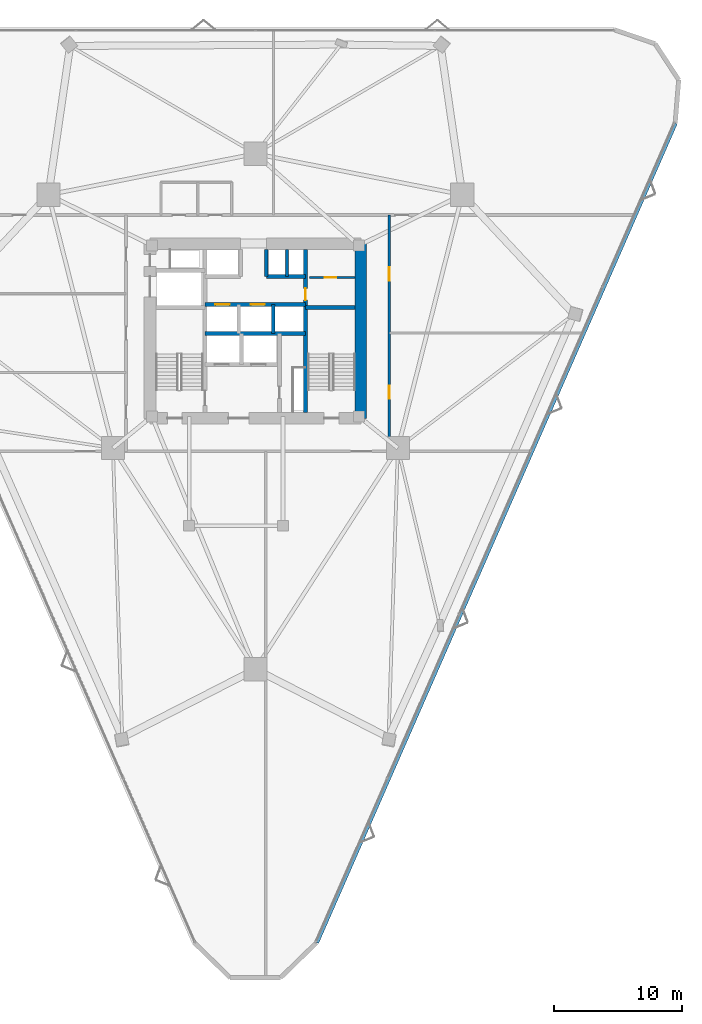
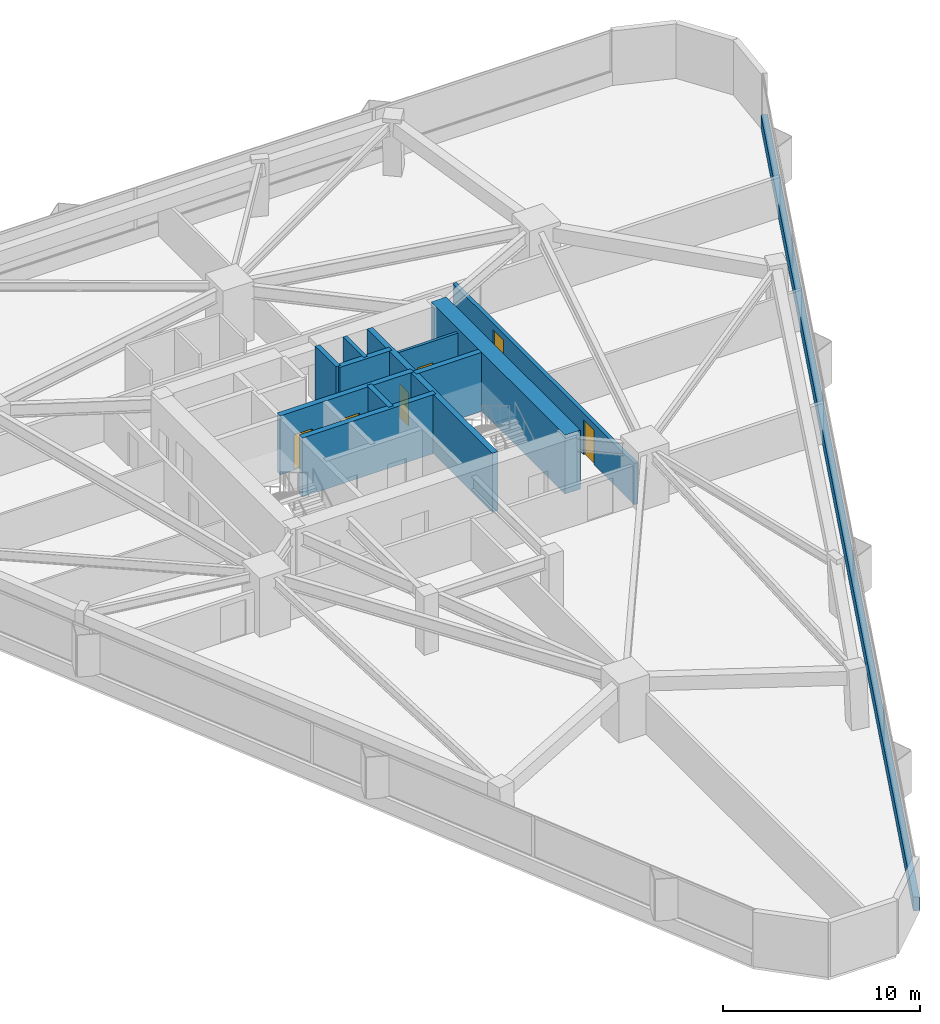
# One storey, part 18 of 20: 12 walls, 6 doors, 6 openings.
"""IFC4 building model written with IfcOpenShell, lengths in metres."""

from ifc_helpers import new_model, si_unit, direction, frame, frame_2d, origin, place, context, subcontext, project, spatial, rectangle, extrude, material, layer, layer_set, type_object, element, fill, save


model = new_model("IFC4")

# Units and contexts
model_context = context("Model", 3, precision=1e-05, world=origin(), true_north=direction((0.0, 1.0)))
body_context = subcontext(model_context, "Body", "Model", "MODEL_VIEW")
ifc_project = project(units=[si_unit("LENGTHUNIT", "METRE"), si_unit("AREAUNIT", "SQUARE_METRE"), si_unit("VOLUMEUNIT", "CUBIC_METRE"), si_unit("PLANEANGLEUNIT", "RADIAN"), si_unit("MASSUNIT", "GRAM", prefix="KILO")], contexts=[model_context])

# Site, building, storey
site_placement = place(None, origin())
site = spatial("IfcSite", under=ifc_project, at=site_placement, CompositionType="ELEMENT")
building_placement = place(site_placement, origin())
building = spatial("IfcBuilding", under=site, at=building_placement, Name="Talyreon Biosciences Tower", CompositionType="ELEMENT")
storey_placement = place(building_placement, frame((0.0, 0.0, 59.300048828125)))
storey = spatial("IfcBuildingStorey", under=building, at=storey_placement, Name="L15", CompositionType="ELEMENT", Elevation=59.300048828125)

# Walls
ifc_material_1 = material(Name="Concrete C50/60", Category="concrete")
ifc_layer_1 = layer(ifc_material_1, 0.219970703125)
ifc_layer_set_1 = layer_set([ifc_layer_1], Name="Concrete C50/60")
wall_type_1 = type_object("IfcWallType", Name="CoreShearWall_220", PredefinedType="SHEAR", material=ifc_layer_set_1)
wall_1_placement = place(storey_placement, frame((68.4599609375, 72.25, 0.0), z_axis=(0.0, 0.0, 1.0), x_axis=(0.0, 1.0, 0.0)))
element("IfcWall", 1, at=wall_1_placement, inside=storey, type_object=wall_type_1, Name="L15 Core Shaft Wall SWPHD", PredefinedType="SHEAR", context=body_context, shape_type="SweptSolid", body=[
    extrude(rectangle(XDim=2.10009765625, YDim=0.219970703125, at=frame_2d((1.050048828125, 0.0))), origin(), (0.0, 0.0, 1.0), 3.64990234375),
])
ifc_layer_2 = layer(ifc_material_1, 0.280029296875)
ifc_layer_set_2 = layer_set([ifc_layer_2], Name="Concrete C50/60")
wall_type_2 = type_object("IfcWallType", Name="CoreShearWall_280", PredefinedType="SHEAR", material=ifc_layer_set_2)
wall_2_placement = place(storey_placement, frame((66.85009765625, 72.25, 0.0), z_axis=(0.0, 0.0, 1.0), x_axis=(0.0, 1.0, 0.0)))
element("IfcWall", 2, at=wall_2_placement, inside=storey, type_object=wall_type_2, Name="L15 Core Shaft Wall SWTHE", PredefinedType="SHEAR", context=body_context, shape_type="SweptSolid", body=[
    extrude(rectangle(XDim=2.10009765625, YDim=0.280029296875, at=frame_2d((1.050048828125, 0.0))), origin(), (0.0, 0.0, 1.0), 3.64990234375),
])
wall_3_placement = place(storey_placement, frame((67.3798828125, 67.800048828125, 0.0), z_axis=(0.0, 0.0, 1.0), x_axis=(0.0, 1.0, 0.0)))
element("IfcWall", 3, at=wall_3_placement, inside=storey, type_object=wall_type_2, Name="L15 Core Shaft Wall SWPMD", PredefinedType="SHEAR", context=body_context, shape_type="SweptSolid", body=[
    extrude(rectangle(XDim=2.25, YDim=0.280029296875, at=frame_2d((1.125, 0.0))), origin(), (0.0, 0.0, 1.0), 3.64990234375),
])

# Wall, opening, door
ifc_layer_3 = layer(ifc_material_1, 0.320068359375)
ifc_layer_set_3 = layer_set([ifc_layer_3], Name="Concrete C50/60")
wall_type_3 = type_object("IfcWallType", Name="CoreShearWall_320", PredefinedType="SHEAR", material=ifc_layer_set_3)
wall_4_placement = place(storey_placement, frame((69.909912109375, 61.64990234375, 0.0), z_axis=(0.0, 0.0, 1.0), x_axis=(0.0, 1.0, 0.0)))
wall_4 = element("IfcWall", 4, at=wall_4_placement, inside=storey, type_object=wall_type_3, Name="L15 Core Shaft Wall SW2W", PredefinedType="SHEAR", context=body_context, shape_type="SweptSolid", body=[
    extrude(rectangle(XDim=12.7001953125, YDim=0.320068359375, at=frame_2d((6.35009765625, 0.0))), origin(), (0.0, 0.0, 1.0), 3.64990234375),
])
opening_1_placement = place(wall_4_placement, frame((8.75, 0.0, 0.0)))
opening_1 = element("IfcOpeningElement", 5, at=opening_1_placement, cuts=wall_4, Name="Opening DR-L15-CSRV", PredefinedType="OPENING", context=body_context, shape_type="SweptSolid", body=[
    extrude(rectangle(XDim=0.919921875, YDim=2.050048828125, at=frame_2d((0.4599609375, 1.02490234375))), frame((0.0, 0.169921875, 0.0), z_axis=(0.0, -1.0, 0.0), x_axis=(1.0, 0.0, 0.0)), (0.0, 0.0, 1.0), 0.340087890625),
])
ifc_material_2 = material(Name="Painted steel fire-rated riser door", Category="steel")
door_type_1 = type_object("IfcDoorType", Name="RiserPlantAccessDoor_920x2050", OperationType="NOTDEFINED", PredefinedType="DOOR", material=ifc_material_2)
door_1_placement = place(opening_1_placement, origin())
door_1 = element("IfcDoor", 6, at=door_1_placement, inside=storey, type_object=door_type_1, Name="L15 Core Door DR-L15-CSRV", OperationType="SINGLE_SWING_RIGHT", OverallHeight=2.050048828125, OverallWidth=0.919921875, PredefinedType="DOOR", context=body_context, shape_type="SweptSolid", body=[
    extrude(rectangle(XDim=0.919921875, YDim=2.050048828125, at=frame_2d((0.4599609375, 1.02490234375))), frame((0.0, 0.02490234375, 0.0), z_axis=(0.0, -1.0, 0.0), x_axis=(1.0, 0.0, 0.0)), (0.0, 0.0, 1.0), 0.050048828125),
])
fill(opening_1, door_1)

# Walls
wall_5_placement = place(storey_placement, frame((69.909912109375, 69.81005859375, 0.0), z_axis=(0.0, 0.0, 1.0), x_axis=(1.0, 0.0, 0.0)))
element("IfcWall", 7, at=wall_5_placement, inside=storey, type_object=wall_type_3, Name="L15 Core Shaft Wall SW2N", PredefinedType="SHEAR", context=body_context, shape_type="SweptSolid", body=[
    extrude(rectangle(XDim=3.840087890625, YDim=0.320068359375, at=frame_2d((1.919921875, 0.0))), origin(), (0.0, 0.0, 1.0), 3.64990234375),
])
wall_6_placement = place(storey_placement, frame((62.090087890625, 67.800048828125, 0.0), z_axis=(0.0, 0.0, 1.0), x_axis=(1.0, 0.0, 0.0)))
element("IfcWall", 8, at=wall_6_placement, inside=storey, type_object=wall_type_3, Name="L15 Core Shaft Wall SWSHM", PredefinedType="SHEAR", context=body_context, shape_type="SweptSolid", body=[
    extrude(rectangle(XDim=7.81982421875, YDim=0.320068359375, at=frame_2d((3.909912109375, 0.0))), origin(), (0.0, 0.0, 1.0), 3.64990234375),
])

# Wall, openings, doors
wall_7_placement = place(storey_placement, frame((62.090087890625, 70.050048828125, 0.0), z_axis=(0.0, 0.0, 1.0), x_axis=(1.0, 0.0, 0.0)))
wall_7 = element("IfcWall", 9, at=wall_7_placement, inside=storey, type_object=wall_type_3, Name="L15 Core Shaft Wall SWSPN", PredefinedType="SHEAR", context=body_context, shape_type="SweptSolid", body=[
    extrude(rectangle(XDim=7.81982421875, YDim=0.320068359375, at=frame_2d((3.909912109375, 0.0))), origin(), (0.0, 0.0, 1.0), 3.64990234375),
])
opening_2_placement = place(wall_7_placement, frame((0.800048828125, 0.0, 0.0)))
opening_2 = element("IfcOpeningElement", 10, at=opening_2_placement, cuts=wall_7, Name="Opening LD-L15-PL1", PredefinedType="OPENING", context=body_context, shape_type="SweptSolid", body=[
    extrude(rectangle(XDim=1.10009765625, YDim=2.199951171875, at=frame_2d((0.550048828125, 1.10009765625))), frame((0.0, 0.169921875, 0.0), z_axis=(0.0, -1.0, 0.0), x_axis=(1.0, 0.0, 0.0)), (0.0, 0.0, 1.0), 0.340087890625),
])
opening_3_placement = place(wall_7_placement, frame((3.550048828125, 0.0, 0.0)))
opening_3 = element("IfcOpeningElement", 11, at=opening_3_placement, cuts=wall_7, Name="Opening LD-L15-PL2", PredefinedType="OPENING", context=body_context, shape_type="SweptSolid", body=[
    extrude(rectangle(XDim=1.10009765625, YDim=2.199951171875, at=frame_2d((0.550048828125, 1.10009765625))), frame((0.0, 0.169921875, 0.0), z_axis=(0.0, -1.0, 0.0), x_axis=(1.0, 0.0, 0.0)), (0.0, 0.0, 1.0), 0.340087890625),
])
ifc_material_3 = material(Name="Brushed stainless-steel lift landing door", Category="steel")
door_type_2 = type_object("IfcDoorType", Name="LiftSlidingLandingDoor_1100x2200", OperationType="SLIDING_TO_LEFT", PredefinedType="DOOR", material=ifc_material_3)
door_2_placement = place(opening_2_placement, origin())
door_2 = element("IfcDoor", 12, at=door_2_placement, inside=storey, type_object=door_type_2, Name="L15 Core Door LD-L15-PL1", OperationType="SLIDING_TO_LEFT", OverallHeight=2.199951171875, OverallWidth=1.10009765625, PredefinedType="DOOR", context=body_context, shape_type="SweptSolid", body=[
    extrude(rectangle(XDim=1.10009765625, YDim=2.199951171875, at=frame_2d((0.550048828125, 1.10009765625))), frame((0.0, 0.02490234375, 0.0), z_axis=(0.0, -1.0, 0.0), x_axis=(1.0, 0.0, 0.0)), (0.0, 0.0, 1.0), 0.050048828125),
])
fill(opening_2, door_2)
door_3_placement = place(opening_3_placement, origin())
door_3 = element("IfcDoor", 13, at=door_3_placement, inside=storey, type_object=door_type_2, Name="L15 Core Door LD-L15-PL2", OperationType="SLIDING_TO_LEFT", OverallHeight=2.199951171875, OverallWidth=1.10009765625, PredefinedType="DOOR", context=body_context, shape_type="SweptSolid", body=[
    extrude(rectangle(XDim=1.10009765625, YDim=2.199951171875, at=frame_2d((0.550048828125, 1.10009765625))), frame((0.0, 0.02490234375, 0.0), z_axis=(0.0, -1.0, 0.0), x_axis=(1.0, 0.0, 0.0)), (0.0, 0.0, 1.0), 0.050048828125),
])
fill(opening_3, door_3)

# Walls
wall_8_placement = place(storey_placement, frame((66.85009765625, 72.25, 0.0), z_axis=(0.0, 0.0, 1.0), x_axis=(1.0, 0.0, 0.0)))
element("IfcWall", 14, at=wall_8_placement, inside=storey, type_object=wall_type_3, Name="L15 Core Shaft Wall SWNPE", PredefinedType="SHEAR", context=body_context, shape_type="SweptSolid", body=[
    extrude(rectangle(XDim=3.059814453125, YDim=0.320068359375, at=frame_2d((1.52978515625, 0.0))), origin(), (0.0, 0.0, 1.0), 3.64990234375),
])
ifc_material_4 = material(Name="Concrete C60/75", Category="concrete")
ifc_layer_4 = layer(ifc_material_4, 0.89990234375)
ifc_layer_set_4 = layer_set([ifc_layer_4], Name="Concrete C60/75")
wall_type_4 = type_object("IfcWallType", Name="CoreShearWall_900", PredefinedType="SHEAR", material=ifc_layer_set_4)
wall_9_placement = place(storey_placement, frame((74.199951171875, 61.199951171875, 0.0), z_axis=(0.0, 0.0, 1.0), x_axis=(0.0, 1.0, 0.0)))
element("IfcWall", 15, at=wall_9_placement, inside=storey, type_object=wall_type_4, Name="L15 Core Shear Wall E", PredefinedType="SHEAR", context=body_context, shape_type="SweptSolid", body=[
    extrude(rectangle(XDim=13.60009765625, YDim=0.89990234375, at=frame_2d((6.800048828125, 0.0))), origin(), (0.0, 0.0, 1.0), 3.64990234375),
])

# Wall, openings, doors
ifc_material_5 = material(Name="Gypsum fireboard acoustic stud", Category="gypsum")
ifc_layer_5 = layer(ifc_material_5, 0.219970703125)
ifc_layer_set_5 = layer_set([ifc_layer_5], Name="Gypsum fireboard acoustic stud")
wall_type_5 = type_object("IfcWallType", Name="CorridorRatedPartition_220", PredefinedType="PARTITIONING", material=ifc_layer_set_5)
wall_10_placement = place(storey_placement, frame((76.419921875, 58.6298828125, 0.0), z_axis=(0.0, 0.0, 1.0), x_axis=(0.0, 1.0, 0.0)))
wall_10 = element("IfcWall", 16, at=wall_10_placement, inside=storey, type_object=wall_type_5, Name="L15 Interior Wall IW-L15-COR-E", PredefinedType="PARTITIONING", context=body_context, shape_type="SweptSolid", body=[
    extrude(rectangle(XDim=18.39013671875, YDim=0.219970703125, at=frame_2d((9.195068359375, 0.0))), origin(), (0.0, 0.0, 1.0), 2.554931640625),
])
opening_4_placement = place(wall_10_placement, frame((4.072998046875, 0.0, 0.0)))
opening_4 = element("IfcOpeningElement", 17, at=opening_4_placement, cuts=wall_10, Name="Opening DR-L15-E1A", PredefinedType="OPENING", context=body_context, shape_type="SweptSolid", body=[
    extrude(rectangle(XDim=1.050048828125, YDim=2.14990234375, at=frame_2d((0.52490234375, 1.074951171875))), frame((0.0, 0.119873046875, 0.0), z_axis=(0.0, -1.0, 0.0), x_axis=(1.0, 0.0, 0.0)), (0.0, 0.0, 1.0), 0.239990234375),
])
opening_5_placement = place(wall_10_placement, frame((13.26708984375, 0.0, 0.0)))
opening_5 = element("IfcOpeningElement", 18, at=opening_5_placement, cuts=wall_10, Name="Opening DR-L15-E2A", PredefinedType="OPENING", context=body_context, shape_type="SweptSolid", body=[
    extrude(rectangle(XDim=1.050048828125, YDim=2.14990234375, at=frame_2d((0.52490234375, 1.074951171875))), frame((0.0, 0.119873046875, 0.0), z_axis=(0.0, -1.0, 0.0), x_axis=(1.0, 0.0, 0.0)), (0.0, 0.0, 1.0), 0.239990234375),
])
ifc_material_6 = material(Name="Acoustic timber-core laboratory door", Category="wood")
door_type_3 = type_object("IfcDoorType", Name="DryLabSingleDoor_1050x2150", OperationType="NOTDEFINED", PredefinedType="DOOR", material=ifc_material_6)
door_4_placement = place(opening_4_placement, origin())
door_4 = element("IfcDoor", 19, at=door_4_placement, inside=storey, type_object=door_type_3, Name="L15 Interior Door DR-L15-E1A", OperationType="SINGLE_SWING_LEFT", OverallHeight=2.14990234375, OverallWidth=1.050048828125, PredefinedType="DOOR", context=body_context, shape_type="SweptSolid", body=[
    extrude(rectangle(XDim=1.050048828125, YDim=2.14990234375, at=frame_2d((0.52490234375, 1.074951171875))), frame((0.0, 0.02490234375, 0.0), z_axis=(0.0, -1.0, 0.0), x_axis=(1.0, 0.0, 0.0)), (0.0, 0.0, 1.0), 0.050048828125),
])
fill(opening_4, door_4)
door_5_placement = place(opening_5_placement, origin())
door_5 = element("IfcDoor", 20, at=door_5_placement, inside=storey, type_object=door_type_3, Name="L15 Interior Door DR-L15-E2A", OperationType="SINGLE_SWING_LEFT", OverallHeight=2.14990234375, OverallWidth=1.050048828125, PredefinedType="DOOR", context=body_context, shape_type="SweptSolid", body=[
    extrude(rectangle(XDim=1.050048828125, YDim=2.14990234375, at=frame_2d((0.52490234375, 1.074951171875))), frame((0.0, 0.02490234375, 0.0), z_axis=(0.0, -1.0, 0.0), x_axis=(1.0, 0.0, 0.0)), (0.0, 0.0, 1.0), 0.050048828125),
])
fill(opening_5, door_5)

# Wall, opening, door
ifc_material_7 = material(Name="Gypsum acoustic stud partition", Category="gypsum")
ifc_layer_6 = layer(ifc_material_7, 0.159912109375)
ifc_layer_set_6 = layer_set([ifc_layer_6], Name="Gypsum acoustic stud partition")
wall_type_6 = type_object("IfcWallType", Name="LabSeparationPartition_160", PredefinedType="PARTITIONING", material=ifc_layer_set_6)
wall_11_placement = place(storey_placement, frame((70.22998046875, 72.14990234375, 0.0), z_axis=(0.0, 0.0, 1.0), x_axis=(1.0, 0.0, 0.0)))
wall_11 = element("IfcWall", 21, at=wall_11_placement, inside=storey, type_object=wall_type_6, Name="L15 Interior Wall IW-L15-CSRV-H", PredefinedType="PARTITIONING", context=body_context, shape_type="SweptSolid", body=[
    extrude(rectangle(XDim=3.52001953125, YDim=0.159912109375, at=frame_2d((1.760009765625, 0.0))), origin(), (0.0, 0.0, 1.0), 3.375),
])
opening_6_placement = place(wall_11_placement, frame((1.14990234375, 0.0, 0.0)))
opening_6 = element("IfcOpeningElement", 22, at=opening_6_placement, cuts=wall_11, Name="Opening DR-L15-CSRV-I", PredefinedType="OPENING", context=body_context, shape_type="SweptSolid", body=[
    extrude(rectangle(XDim=0.919921875, YDim=2.050048828125, at=frame_2d((0.4599609375, 1.02490234375))), frame((0.0, 0.08984375, 0.0), z_axis=(0.0, -1.0, 0.0), x_axis=(1.0, 0.0, 0.0)), (0.0, 0.0, 1.0), 0.179931640625),
])
door_6_placement = place(opening_6_placement, origin())
door_6 = element("IfcDoor", 23, at=door_6_placement, inside=storey, type_object=door_type_1, Name="L15 Interior Door DR-L15-CSRV-I", OperationType="SINGLE_SWING_LEFT", OverallHeight=2.050048828125, OverallWidth=0.919921875, PredefinedType="DOOR", context=body_context, shape_type="SweptSolid", body=[
    extrude(rectangle(XDim=0.919921875, YDim=2.050048828125, at=frame_2d((0.4599609375, 1.02490234375))), frame((0.0, 0.02490234375, 0.0), z_axis=(0.0, -1.0, 0.0), x_axis=(1.0, 0.0, 0.0)), (0.0, 0.0, 1.0), 0.050048828125),
])
fill(opening_6, door_6)

# Wall
ifc_material_8 = material(Name="Precast concrete C45/55", Category="concrete")
ifc_layer_7 = layer(ifc_material_8, 0.340087890625)
ifc_layer_set_7 = layer_set([ifc_layer_7], Name="Precast concrete C45/55")
wall_type_7 = type_object("IfcWallType", Name="PrecastConcreteSpandrelWall_340", PredefinedType="STANDARD", material=ifc_layer_set_7)
wall_12_placement = place(storey_placement, frame((98.67919921875, 84.168701171875, 0.0), z_axis=(0.0, 0.0, 1.0), x_axis=(-0.400969676651, -0.916091326455, 0.0)))
element("IfcWall", 24, at=wall_12_placement, inside=storey, type_object=wall_type_7, Name="L15 Expressed Concrete Sill Wall 08", PredefinedType="STANDARD", context=body_context, shape_type="SweptSolid", body=[
    extrude(rectangle(XDim=69.6201171875, YDim=0.340087890625, at=frame_2d((34.81005859375, 0.0))), origin(), (0.0, 0.0, 1.0), 0.849853515625),
])

save(model, "model.ifc")
